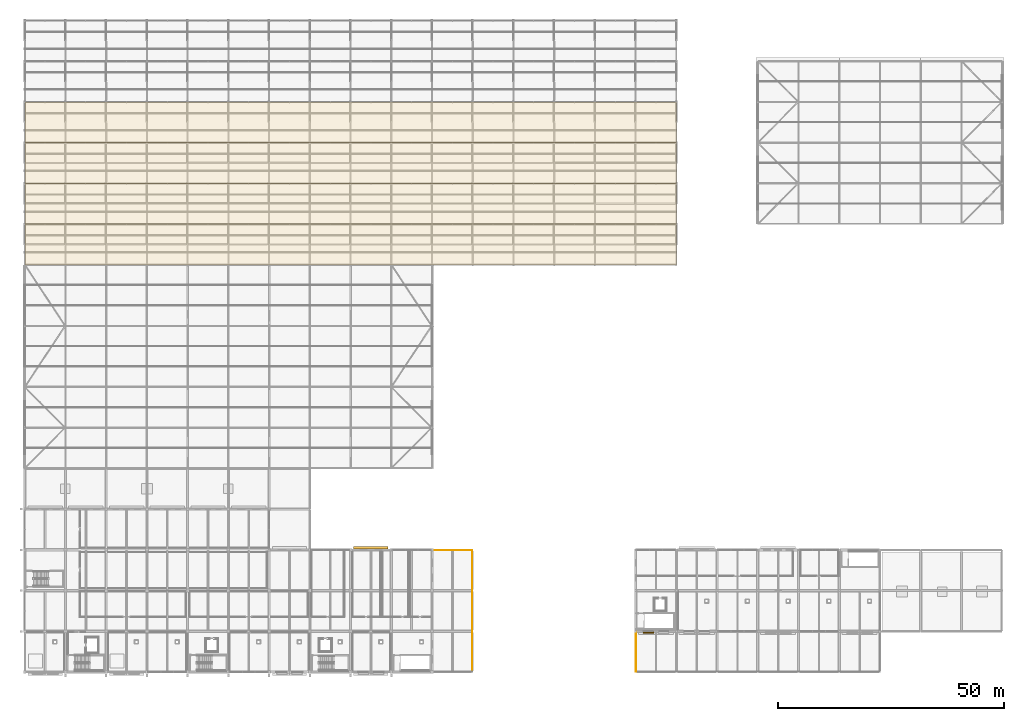
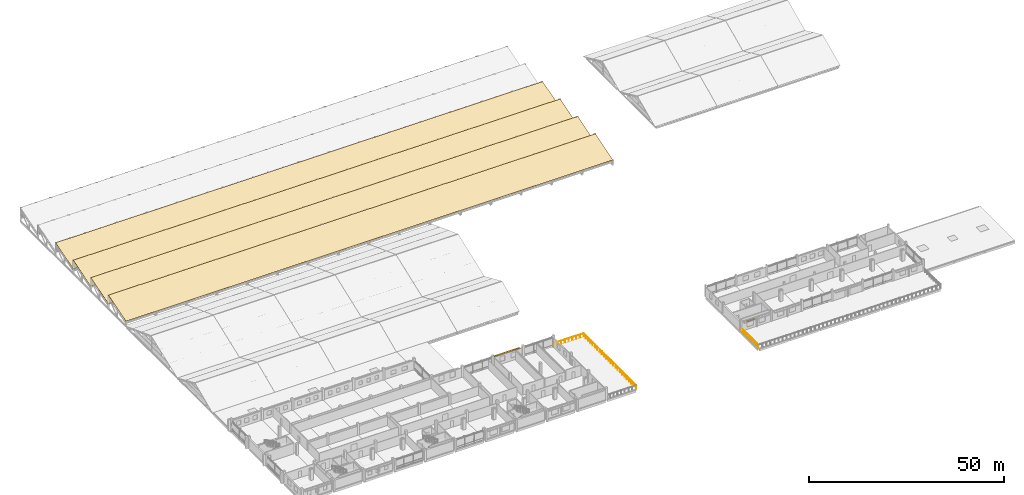
# One storey, part 161 of 163: 4 coverings, 3 railings, 2 shading devices.
"""IFC4 building model written with IfcOpenShell, lengths in metres."""

from ifc_helpers import new_model, si_unit, direction, frame, origin, origin_2d, place, context, subcontext, project, spatial, polyline, rectangle, circle, outline, extrude, material, layer, layer_set, type_object, element, save


model = new_model("IFC4")

# Units and contexts
model_context = context("Model", 3, precision=1e-05, world=origin(), true_north=direction((0.0, 1.0)))
body_context = subcontext(model_context, "Body", "Model", "MODEL_VIEW")
ifc_project = project(units=[si_unit("LENGTHUNIT", "METRE"), si_unit("AREAUNIT", "SQUARE_METRE"), si_unit("VOLUMEUNIT", "CUBIC_METRE"), si_unit("PLANEANGLEUNIT", "RADIAN"), si_unit("MASSUNIT", "GRAM", prefix="KILO")], contexts=[model_context])

# Site, building, storey
site_placement = place(None, origin())
site = spatial("IfcSite", under=ifc_project, at=site_placement, CompositionType="ELEMENT")
building_placement = place(site_placement, origin())
building = spatial("IfcBuilding", under=site, at=building_placement, Name="Tharagai Park Tramway Depot", CompositionType="ELEMENT")
storey_placement = place(building_placement, frame((0.0, 0.0, 8.39990234375)))
storey = spatial("IfcBuildingStorey", under=building, at=storey_placement, Name="L02", CompositionType="ELEMENT", Elevation=8.39990234375)

# Coverings
ifc_material_1 = material(Name="Standing-seam zinc roofing")
ifc_layer_1 = layer(ifc_material_1, 0.0400390625)
ifc_layer_set_1 = layer_set([ifc_layer_1], Name="Standing-seam zinc roofing")
covering_type = type_object("IfcCoveringType", Name="CV-01", PredefinedType="ROOFING", material=ifc_layer_set_1)
for number, where, z_axis, x_axis, name in (
    (1, (0.0, 90.0, 1.205078125), (0.0, -0.289034229425, 0.95731876312), (1.0, 0.0, 0.0), "Standing-Seam Zinc Roofing Tooth 1"),
    (2, (0.0, 99.0, 1.205078125), (0.0, -0.289034229425, 0.95731876312), (1.0, 0.0, 0.0), "Standing-Seam Zinc Roofing Tooth 2"),
    (3, (0.0, 108.0, 1.205078125), (0.0, -0.289034229425, 0.95731876312), (1.0, 0.0, 0.0), "Standing-Seam Zinc Roofing Tooth 3"),
    (4, (0.0, 117.0, 1.205078125), (0.0, -0.289034229425, 0.95731876312), (1.0, 0.0, 0.0), "Standing-Seam Zinc Roofing Tooth 4"),
):
    element("IfcCovering", number, at=place(storey_placement, frame(where, z_axis=z_axis, x_axis=x_axis)), inside=storey, type_object=covering_type, Name=name, PredefinedType="ROOFING", context=body_context, shape_type="SweptSolid", body=[
        extrude(outline(polyline([(0.0, 0.0), (144.0, 0.0), (144.0, 9.401257289340432), (0.0, 9.401257289340432), (0.0, 0.0)])), origin(), (0.0, 0.0, -1.0), 0.0400390625),
    ])

# Railings
ifc_material_2 = material(Name="Galvanised steel", Category="steel")
railing_type = type_object("IfcRailingType", Name="GR-01", PredefinedType="BALUSTRADE", material=ifc_material_2)
railing_1_placement = place(storey_placement, frame((90.080078125, 26.919921875, 0.0)))
element("IfcRailing", 5, at=railing_1_placement, inside=storey, type_object=railing_type, Name="East Court Terrace Perimeter Guard N", PredefinedType="BALUSTRADE", context=body_context, shape_type="SweptSolid", body=[
    extrude(circle(Radius=0.02392578125, at=origin_2d()), frame((0.0, 0.0, 1.076171875), z_axis=(1.0, 0.0, 0.0), x_axis=(0.0, 1.0, 0.0)), (0.0, 0.0, 1.0), 8.83984375),
    extrude(circle(Radius=0.02099609375, at=origin_2d()), origin(), (0.0, 0.0, 1.0), 1.052001953125),
    extrude(circle(Radius=0.02099609375, at=origin_2d()), frame((1.10498046875, 0.0, 0.0)), (0.0, 0.0, 1.0), 1.052001953125),
    extrude(circle(Radius=0.02099609375, at=origin_2d()), frame((2.2099609375, 0.0, 0.0)), (0.0, 0.0, 1.0), 1.052001953125),
    extrude(circle(Radius=0.02099609375, at=origin_2d()), frame((3.31494140625, 0.0, 0.0)), (0.0, 0.0, 1.0), 1.052001953125),
    extrude(circle(Radius=0.02099609375, at=origin_2d()), frame((4.419921875, 0.0, 0.0)), (0.0, 0.0, 1.0), 1.052001953125),
    extrude(circle(Radius=0.02099609375, at=origin_2d()), frame((5.52490234375, 0.0, 0.0)), (0.0, 0.0, 1.0), 1.052001953125),
    extrude(circle(Radius=0.02099609375, at=origin_2d()), frame((6.6298828125, 0.0, 0.0)), (0.0, 0.0, 1.0), 1.052001953125),
    extrude(circle(Radius=0.02099609375, at=origin_2d()), frame((7.73486328125, 0.0, 0.0)), (0.0, 0.0, 1.0), 1.052001953125),
    extrude(circle(Radius=0.02099609375, at=origin_2d()), frame((8.83984375, 0.0, 0.0)), (0.0, 0.0, 1.0), 1.052001953125),
])
railing_2_placement = place(storey_placement, frame((98.919921875, 0.080078125, 0.0)))
element("IfcRailing", 6, at=railing_2_placement, inside=storey, type_object=railing_type, Name="East Court Terrace Perimeter Guard E", PredefinedType="BALUSTRADE", context=body_context, shape_type="SweptSolid", body=[
    extrude(circle(Radius=0.02392578125, at=origin_2d()), frame((0.0, 0.0, 1.076171875), z_axis=(0.0, 1.0, 0.0), x_axis=(-1.0, 0.0, 0.0)), (0.0, 0.0, 1.0), 26.83984375),
    extrude(circle(Radius=0.02099609375, at=origin_2d()), origin(), (0.0, 0.0, 1.0), 1.052001953125),
    extrude(circle(Radius=0.02099609375, at=origin_2d()), frame((0.0, 1.1669921875, 0.0)), (0.0, 0.0, 1.0), 1.052001953125),
    extrude(circle(Radius=0.02099609375, at=origin_2d()), frame((0.0, 2.333984375, 0.0)), (0.0, 0.0, 1.0), 1.052001953125),
    extrude(circle(Radius=0.02099609375, at=origin_2d()), frame((0.0, 3.500732421875, 0.0)), (0.0, 0.0, 1.0), 1.052001953125),
    extrude(circle(Radius=0.02099609375, at=origin_2d()), frame((0.0, 4.667724609375, 0.0)), (0.0, 0.0, 1.0), 1.052001953125),
    extrude(circle(Radius=0.02099609375, at=origin_2d()), frame((0.0, 5.834716796875, 0.0)), (0.0, 0.0, 1.0), 1.052001953125),
    extrude(circle(Radius=0.02099609375, at=origin_2d()), frame((0.0, 7.001708984375, 0.0)), (0.0, 0.0, 1.0), 1.052001953125),
    extrude(circle(Radius=0.02099609375, at=origin_2d()), frame((0.0, 8.168701171875, 0.0)), (0.0, 0.0, 1.0), 1.052001953125),
    extrude(circle(Radius=0.02099609375, at=origin_2d()), frame((0.0, 9.335693359375, 0.0)), (0.0, 0.0, 1.0), 1.052001953125),
    extrude(circle(Radius=0.02099609375, at=origin_2d()), frame((0.0, 10.50244140625, 0.0)), (0.0, 0.0, 1.0), 1.052001953125),
    extrude(circle(Radius=0.02099609375, at=origin_2d()), frame((0.0, 11.66943359375, 0.0)), (0.0, 0.0, 1.0), 1.052001953125),
    extrude(circle(Radius=0.02099609375, at=origin_2d()), frame((0.0, 12.83642578125, 0.0)), (0.0, 0.0, 1.0), 1.052001953125),
    extrude(circle(Radius=0.02099609375, at=origin_2d()), frame((0.0, 14.00341796875, 0.0)), (0.0, 0.0, 1.0), 1.052001953125),
    extrude(circle(Radius=0.02099609375, at=origin_2d()), frame((0.0, 15.17041015625, 0.0)), (0.0, 0.0, 1.0), 1.052001953125),
    extrude(circle(Radius=0.02099609375, at=origin_2d()), frame((0.0, 16.33740234375, 0.0)), (0.0, 0.0, 1.0), 1.052001953125),
    extrude(circle(Radius=0.02099609375, at=origin_2d()), frame((0.0, 17.504150390625, 0.0)), (0.0, 0.0, 1.0), 1.052001953125),
    extrude(circle(Radius=0.02099609375, at=origin_2d()), frame((0.0, 18.671142578125, 0.0)), (0.0, 0.0, 1.0), 1.052001953125),
    extrude(circle(Radius=0.02099609375, at=origin_2d()), frame((0.0, 19.838134765625, 0.0)), (0.0, 0.0, 1.0), 1.052001953125),
    extrude(circle(Radius=0.02099609375, at=origin_2d()), frame((0.0, 21.005126953125, 0.0)), (0.0, 0.0, 1.0), 1.052001953125),
    extrude(circle(Radius=0.02099609375, at=origin_2d()), frame((0.0, 22.172119140625, 0.0)), (0.0, 0.0, 1.0), 1.052001953125),
    extrude(circle(Radius=0.02099609375, at=origin_2d()), frame((0.0, 23.339111328125, 0.0)), (0.0, 0.0, 1.0), 1.052001953125),
    extrude(circle(Radius=0.02099609375, at=origin_2d()), frame((0.0, 24.505859375, 0.0)), (0.0, 0.0, 1.0), 1.052001953125),
    extrude(circle(Radius=0.02099609375, at=origin_2d()), frame((0.0, 25.6728515625, 0.0)), (0.0, 0.0, 1.0), 1.052001953125),
    extrude(circle(Radius=0.02099609375, at=origin_2d()), frame((0.0, 26.83984375, 0.0)), (0.0, 0.0, 1.0), 1.052001953125),
])
railing_3_placement = place(storey_placement, frame((135.080078125, 0.080078125, 0.0)))
element("IfcRailing", 7, at=railing_3_placement, inside=storey, type_object=railing_type, Name="Park Belvedere Terrace Perimeter Guard W", PredefinedType="BALUSTRADE", context=body_context, shape_type="SweptSolid", body=[
    extrude(circle(Radius=0.02392578125, at=origin_2d()), frame((0.0, 0.0, 1.076171875), z_axis=(0.0, 1.0, 0.0), x_axis=(-1.0, 0.0, 0.0)), (0.0, 0.0, 1.0), 8.83984375),
    extrude(circle(Radius=0.02099609375, at=origin_2d()), origin(), (0.0, 0.0, 1.0), 1.052001953125),
    extrude(circle(Radius=0.02099609375, at=origin_2d()), frame((0.0, 1.10498046875, 0.0)), (0.0, 0.0, 1.0), 1.052001953125),
    extrude(circle(Radius=0.02099609375, at=origin_2d()), frame((0.0, 2.2099609375, 0.0)), (0.0, 0.0, 1.0), 1.052001953125),
    extrude(circle(Radius=0.02099609375, at=origin_2d()), frame((0.0, 3.31494140625, 0.0)), (0.0, 0.0, 1.0), 1.052001953125),
    extrude(circle(Radius=0.02099609375, at=origin_2d()), frame((0.0, 4.419921875, 0.0)), (0.0, 0.0, 1.0), 1.052001953125),
    extrude(circle(Radius=0.02099609375, at=origin_2d()), frame((0.0, 5.52490234375, 0.0)), (0.0, 0.0, 1.0), 1.052001953125),
    extrude(circle(Radius=0.02099609375, at=origin_2d()), frame((0.0, 6.6298828125, 0.0)), (0.0, 0.0, 1.0), 1.052001953125),
    extrude(circle(Radius=0.02099609375, at=origin_2d()), frame((0.0, 7.73486328125, 0.0)), (0.0, 0.0, 1.0), 1.052001953125),
    extrude(circle(Radius=0.02099609375, at=origin_2d()), frame((0.0, 8.83984375, 0.0)), (0.0, 0.0, 1.0), 1.052001953125),
])

# Shading devices
ifc_material_3 = material(Name="Anodised aluminium", Category="aluminium")
ifc_layer_2 = layer(ifc_material_3, 0.090087890625)
ifc_layer_set_2 = layer_set([ifc_layer_2], Name="Anodised aluminium")
shading_device_type_1 = type_object("IfcShadingDeviceType", Name="SD-01", PredefinedType="SHUTTER", material=ifc_layer_set_2)
shading_device_1_placement = place(storey_placement, frame((76.5, 27.429931640625, 2.67724609375), z_axis=(0.0, 0.0, 1.0), x_axis=(1.0, 0.0, 0.0)))
element("IfcShadingDevice", 8, at=shading_device_1_placement, inside=storey, type_object=shading_device_type_1, Name="Monsoon Storm Louvre Hood SD-01 #60", PredefinedType="SHUTTER", context=body_context, shape_type="SweptSolid", body=[
    extrude(rectangle(XDim=7.60400390625, YDim=0.580078125, at=origin_2d()), origin(), (0.0, 0.0, 1.0), 0.090087890625),
])
ifc_material_4 = material(Name="Charnockite stone", Category="masonry")
ifc_layer_3 = layer(ifc_material_4, 0.139892578125)
ifc_layer_set_3 = layer_set([ifc_layer_3], Name="Charnockite stone")
shading_device_type_2 = type_object("IfcShadingDeviceType", Name="SD-03", PredefinedType="AWNING", material=ifc_layer_set_3)
shading_device_2_placement = place(storey_placement, frame((137.85009765625, 8.719970703125, 2.5419921875), z_axis=(0.0, 0.0, 1.0), x_axis=(1.0, 0.0, 0.0)))
element("IfcShadingDevice", 9, at=shading_device_2_placement, inside=storey, type_object=shading_device_type_2, Name="Charnockite Gothic Window Hood Drip Moulding SD-03 #9-1", PredefinedType="AWNING", context=body_context, shape_type="SweptSolid", body=[
    extrude(rectangle(XDim=2.39990234375, YDim=0.360107421875, at=origin_2d()), origin(), (0.0, 0.0, 1.0), 0.139892578125),
])

save(model, "model.ifc")
